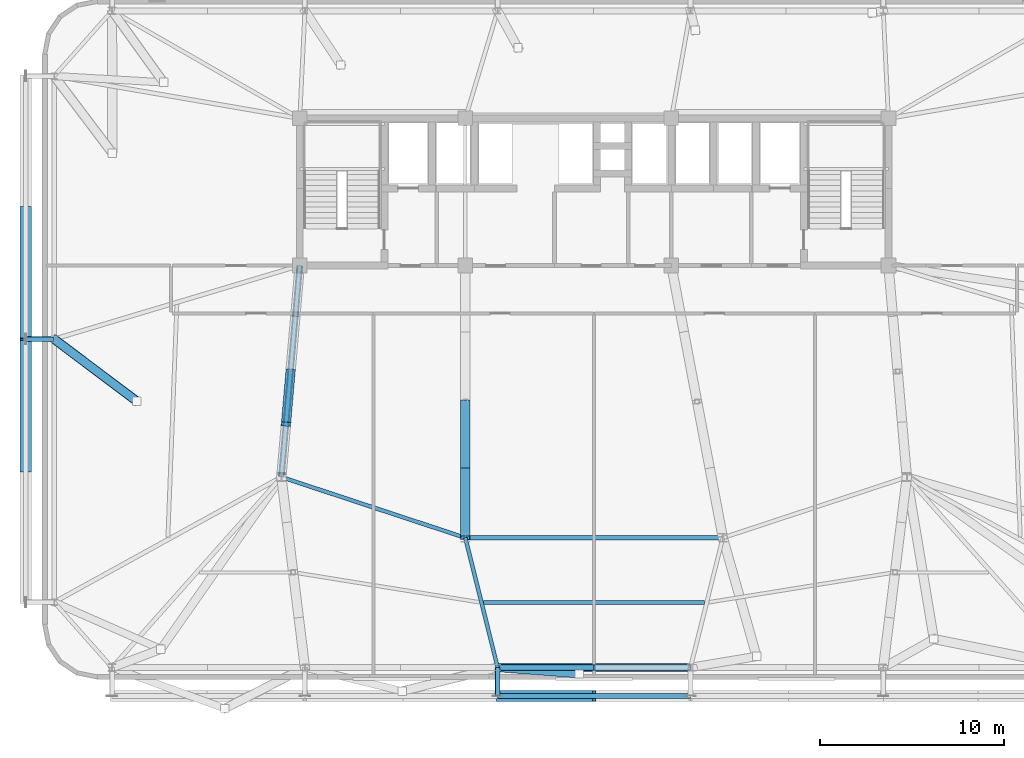
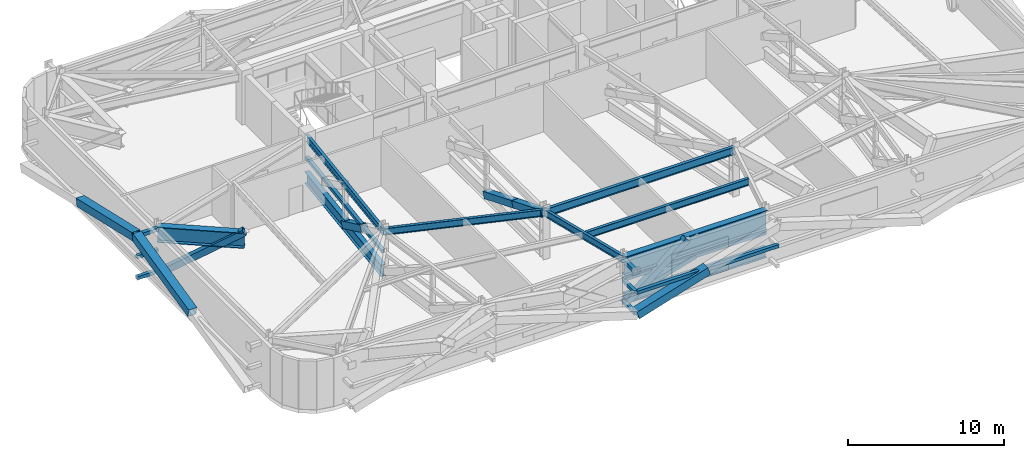
# One storey, part 6 of 24: 20 members, 7 beams.
"""IFC4 building model written with IfcOpenShell, lengths in metres."""

from ifc_helpers import new_model, si_unit, direction, frame, origin, origin_2d, place, context, subcontext, project, spatial, hollow_rectangle, i_section, extrude, source, transform, mapped, material, material_profile, profile_set, type_object, element, save


model = new_model("IFC4")

# Units and contexts
model_context = context("Model", 3, precision=1e-05, world=origin(), true_north=direction((0.0, 1.0)))
body_context = subcontext(model_context, "Body", "Model", "MODEL_VIEW")
ifc_project = project(units=[si_unit("LENGTHUNIT", "METRE"), si_unit("AREAUNIT", "SQUARE_METRE"), si_unit("VOLUMEUNIT", "CUBIC_METRE"), si_unit("PLANEANGLEUNIT", "RADIAN"), si_unit("MASSUNIT", "GRAM", prefix="KILO")], contexts=[model_context])

# Site, building, storey
site_placement = place(None, origin())
site = spatial("IfcSite", under=ifc_project, at=site_placement, CompositionType="ELEMENT")
building_placement = place(site_placement, origin())
building = spatial("IfcBuilding", under=site, at=building_placement, Name="Taldren Reach Tower", CompositionType="ELEMENT")
storey_placement = place(building_placement, frame((0.0, 0.0, 60.89990234375)))
storey = spatial("IfcBuildingStorey", under=building, at=storey_placement, Name="L18", CompositionType="ELEMENT", Elevation=60.89990234375)

# Beams
ifc_material_1 = material(Name="Steel Gr 350 (350PLUS)", Category="steel")
ifc_material_profile_1 = material_profile(ifc_material_1, i_section(OverallWidth=0.208984375, OverallDepth=0.532958984375, WebThickness=0.01025390625, FlangeThickness=0.015625, at=origin_2d()), Name="530UB92.4")
ifc_profile_set_1 = profile_set([ifc_material_profile_1], Name="Steel Gr 350 (350PLUS)")
beam_type_1 = type_object("IfcBeamType", Name="BM-UB530A", PredefinedType="BEAM", material=ifc_profile_set_1)
shared_shape_1 = source(origin(), body_context, "Body", "SweptSolid", [
    extrude(i_section(OverallWidth=0.208984375, OverallDepth=0.532958984375, WebThickness=0.01025390625, FlangeThickness=0.015625, at=origin_2d()), origin(), (0.0, 0.0, 1.0), 11.54345703125),
])
beam_1_placement = place(storey_placement, frame((19.0, 24.0, 3.513671875), z_axis=(-0.086629616365, -0.996240588196, 0.0), x_axis=(0.996240588196, -0.086629616365, 0.0)))
element("IfcBeam", 1, at=beam_1_placement, inside=storey, type_object=beam_type_1, Name="Core-spine girder L18-SP09", PredefinedType="BEAM", context=body_context, shape_type="MappedRepresentation", body=[
    mapped(shared_shape_1, transform((0.0, 0.0, 0.0), scale=1.0)),
])
shared_shape_2 = source(origin(), body_context, "Body", "SweptSolid", [
    extrude(i_section(OverallWidth=0.208984375, OverallDepth=0.532958984375, WebThickness=0.01025390625, FlangeThickness=0.015625, at=origin_2d()), origin(), (0.0, 0.0, 1.0), 10.530517578125),
])
beam_2_placement = place(storey_placement, frame((18.0, 12.5, 3.513671875), z_axis=(0.949627269203, -0.313381635689, 0.0), x_axis=(0.313381635689, 0.949627269203, 0.0)))
element("IfcBeam", 2, at=beam_2_placement, inside=storey, type_object=beam_type_1, Name="Core-spine girder L18-SP10", PredefinedType="BEAM", context=body_context, shape_type="MappedRepresentation", body=[
    mapped(shared_shape_2, transform((0.0, 0.0, 0.0), scale=1.0)),
])
ifc_material_profile_2 = material_profile(ifc_material_1, i_section(OverallWidth=0.22802734375, OverallDepth=0.60205078125, WebThickness=0.010498046875, FlangeThickness=0.014892578125, at=origin_2d()), Name="610UB101")
ifc_profile_set_2 = profile_set([ifc_material_profile_2], Name="Steel Gr 350 (350PLUS)")
beam_type_2 = type_object("IfcBeamType", Name="BM-UB610B", PredefinedType="BEAM", material=ifc_profile_set_2)
shared_shape_3 = source(origin(), body_context, "Body", "SweptSolid", [
    extrude(i_section(OverallWidth=0.22802734375, OverallDepth=0.60205078125, WebThickness=0.010498046875, FlangeThickness=0.014892578125, at=origin_2d()), origin(), (0.0, 0.0, 1.0), 14.0),
])
beam_3_placement = place(storey_placement, frame((28.0, 9.199951171875, 3.47900390625), z_axis=(1.0, 0.0, 0.0), x_axis=(0.0, 1.0, 0.0)))
element("IfcBeam", 3, at=beam_3_placement, inside=storey, type_object=beam_type_2, Name="Core-spine girder L18-SP11", PredefinedType="BEAM", context=body_context, shape_type="MappedRepresentation", body=[
    mapped(shared_shape_3, transform((0.0, 0.0, 0.0), scale=1.0)),
])
shared_shape_4 = source(origin(), body_context, "Body", "SweptSolid", [
    extrude(i_section(OverallWidth=0.208984375, OverallDepth=0.532958984375, WebThickness=0.01025390625, FlangeThickness=0.015625, at=origin_2d()), origin(), (0.0, 0.0, 1.0), 7.266357421875),
])
beam_4_placement = place(storey_placement, frame((28.0, 9.199951171875, 3.513671875), z_axis=(0.24221148493, -0.970223477642, 0.0), x_axis=(0.970223477642, 0.24221148493, 0.0)))
element("IfcBeam", 4, at=beam_4_placement, inside=storey, type_object=beam_type_1, Name="Primary floor girder B1-S3 L18", PredefinedType="BEAM", context=body_context, shape_type="MappedRepresentation", body=[
    mapped(shared_shape_4, transform((0.0, 0.0, 0.0), scale=1.0)),
])
shared_shape_5 = source(origin(), body_context, "Body", "SweptSolid", [
    extrude(i_section(OverallWidth=0.208984375, OverallDepth=0.532958984375, WebThickness=0.01025390625, FlangeThickness=0.015625, at=origin_2d()), origin(), (0.0, 0.0, 1.0), 12.0244140625),
])
beam_5_placement = place(storey_placement, frame((28.98779296875, 5.675048828125, 3.513671875), z_axis=(1.0, 0.0, 0.0), x_axis=(0.0, 1.0, 0.0)))
element("IfcBeam", 5, at=beam_5_placement, inside=storey, type_object=beam_type_1, Name="Secondary floor beam B1 J3 L18", PredefinedType="BEAM", context=body_context, shape_type="MappedRepresentation", body=[
    mapped(shared_shape_5, transform((0.0, 0.0, 0.0), scale=1.0)),
])

# Members
ifc_material_2 = material(Name="Steel Gr 450 (C450L0)", Category="steel")
ifc_material_profile_3 = material_profile(ifc_material_2, hollow_rectangle(XDim=0.27490234375, YDim=0.27490234375, WallThickness=0.00927734375, at=origin_2d()), Name="275x275x9.3SHS")
ifc_profile_set_3 = profile_set([ifc_material_profile_3], Name="Steel Gr 450 (C450L0)")
member_type_1 = type_object("IfcMemberType", Name="MB-TIE273", PredefinedType="STRUT", material=ifc_profile_set_3)
shared_shape_6 = source(origin(), body_context, "Body", "SweptSolid", [
    extrude(hollow_rectangle(XDim=0.27490234375, YDim=0.27490234375, WallThickness=0.00927734375, at=origin_2d()), origin(), (0.0, 0.0, 1.0), 1.5498046875),
])
for number, where, z_axis, x_axis, name in (
    (6, (29.760009765625, 2.14990234375, 3.5), (0.0, -1.0, 0.0), (1.0, 0.0, 0.0), "Exoskeleton diaphragm tie strut B1-S3 L18"),
    (7, (5.64990234375, 20.0, 3.5), (-1.0, 0.0, 0.0), (0.0, -1.0, 0.0), "Exoskeleton diaphragm tie strut B1-W2 L18"),
):
    element("IfcMember", number, at=place(storey_placement, frame(where, z_axis=z_axis, x_axis=x_axis)), inside=storey, type_object=member_type_1, Name=name, PredefinedType="STRUT", context=body_context, shape_type="MappedRepresentation", body=[
        mapped(shared_shape_6, transform((0.0, 0.0, 0.0), scale=1.0)),
    ])
ifc_material_3 = material(Name="Steel Gr 350 (C350L0)", Category="steel")
ifc_material_profile_4 = material_profile(ifc_material_3, hollow_rectangle(XDim=0.25, YDim=0.25, WallThickness=0.010009765625, at=origin_2d()), Name="250x250x10.0SHS")
ifc_profile_set_4 = profile_set([ifc_material_profile_4], Name="Steel Gr 350 (C350L0)")
member_type_2 = type_object("IfcMemberType", Name="MB-POST250", PredefinedType="POST", material=ifc_profile_set_4)
shared_shape_7 = source(origin(), body_context, "Body", "SweptSolid", [
    extrude(hollow_rectangle(XDim=0.25, YDim=0.25, WallThickness=0.010009765625, at=origin_2d()), origin(), (0.0, 0.0, 1.0), 10.47998046875),
])
for number, where, z_axis, x_axis, name in (
    (8, (29.760009765625, 2.14990234375, 1.955078125), (1.0, 0.0, 0.0), (0.0, 1.0, 0.0), "Belt Truss Transfer Mid Chord S3 L18"),
    (9, (29.760009765625, 0.60009765625, 1.860107421875), (1.0, 0.0, 0.0), (0.0, 1.0, 0.0), "Exoskeleton mid-height ring chord B1-S3 L18"),
):
    element("IfcMember", number, at=place(storey_placement, frame(where, z_axis=z_axis, x_axis=x_axis)), inside=storey, type_object=member_type_2, Name=name, PredefinedType="POST", context=body_context, shape_type="MappedRepresentation", body=[
        mapped(shared_shape_7, transform((0.0, 0.0, 0.0), scale=1.0)),
    ])
shared_shape_8 = source(origin(), body_context, "Body", "SweptSolid", [
    extrude(hollow_rectangle(XDim=0.25, YDim=0.25, WallThickness=0.010009765625, at=origin_2d()), origin(), (0.0, 0.0, 1.0), 1.5498046875),
])
for number, where, z_axis, x_axis, name in (
    (10, (29.760009765625, 2.14990234375, 0.22021484375), (0.0, -1.0, 0.0), (1.0, 0.0, 0.0), "Exoskeleton base diaphragm tie strut B1-S3 L18"),
    (11, (5.64990234375, 20.0, 0.22021484375), (-1.0, 0.0, 0.0), (0.0, -1.0, 0.0), "Exoskeleton base diaphragm tie strut B1-W2 L18"),
    (12, (29.760009765625, 2.14990234375, 1.860107421875), (0.0, -1.0, 0.0), (1.0, 0.0, 0.0), "Exoskeleton mid-tier diaphragm tie B1-S3 L18"),
    (13, (5.64990234375, 20.0, 1.860107421875), (-1.0, 0.0, 0.0), (0.0, -1.0, 0.0), "Exoskeleton mid-tier diaphragm tie B1-W2 L18"),
):
    element("IfcMember", number, at=place(storey_placement, frame(where, z_axis=z_axis, x_axis=x_axis)), inside=storey, type_object=member_type_2, Name=name, PredefinedType="POST", context=body_context, shape_type="MappedRepresentation", body=[
        mapped(shared_shape_8, transform((0.0, 0.0, 0.0), scale=1.0)),
    ])

# Beam
ifc_material_profile_5 = material_profile(ifc_material_1, i_section(OverallWidth=0.449951171875, OverallDepth=1.5, WebThickness=0.02001953125, FlangeThickness=0.0439453125, at=origin_2d()), Name="1500WB550")
ifc_profile_set_5 = profile_set([ifc_material_profile_5], Name="Steel Gr 350 (350PLUS)")
beam_type_3 = type_object("IfcBeamType", Name="BM-PG1500", PredefinedType="BEAM", material=ifc_profile_set_5)
shared_shape_9 = source(origin(), body_context, "Body", "SweptSolid", [
    extrude(i_section(OverallWidth=0.449951171875, OverallDepth=1.5, WebThickness=0.02001953125, FlangeThickness=0.0439453125, at=origin_2d()), origin(), (0.0, 0.0, 1.0), 10.47998046875),
])
beam_6_placement = place(storey_placement, frame((29.760009765625, 2.14990234375, 3.030029296875), z_axis=(1.0, 0.0, 0.0), x_axis=(0.0, 1.0, 0.0)))
element("IfcBeam", 14, at=beam_6_placement, inside=storey, type_object=beam_type_3, Name="Belt Truss Transfer Girder TG-B2-S3A on L18", PredefinedType="SPANDREL", context=body_context, shape_type="MappedRepresentation", body=[
    mapped(shared_shape_9, transform((0.0, 0.0, 0.0), scale=1.0)),
])

# Members
ifc_material_profile_6 = material_profile(ifc_material_2, hollow_rectangle(XDim=0.4599609375, YDim=0.4599609375, WallThickness=0.01611328125, at=origin_2d()), Name="460x460x16.0SHS")
ifc_profile_set_6 = profile_set([ifc_material_profile_6], Name="Steel Gr 450 (C450L0)")
member_type_3 = type_object("IfcMemberType", Name="MB-EXO457", PredefinedType="BRACE", material=ifc_profile_set_6)
shared_shape_10 = source(origin(), body_context, "Body", "SweptSolid", [
    extrude(hollow_rectangle(XDim=0.4599609375, YDim=0.4599609375, WallThickness=0.01611328125, at=origin_2d()), origin(), (0.0, 0.0, 1.0), 5.829345703125),
])
member_1_placement = place(storey_placement, frame((29.760009765625, 2.14990234375, 0.02001953125), z_axis=(0.76193932872, -0.058423864319, 0.645007838268), x_axis=(0.0764534189, 0.997073154156, 0.0)))
element("IfcMember", 15, at=member_1_placement, inside=storey, type_object=member_type_3, Name="Outrigger Belt Truss Transfer Strut TS-B2-S3 L18", PredefinedType="BRACE", context=body_context, shape_type="MappedRepresentation", body=[
    mapped(shared_shape_10, transform((0.0, 0.0, 0.0), scale=1.0)),
])
shared_shape_11 = source(origin(), body_context, "Body", "SweptSolid", [
    extrude(hollow_rectangle(XDim=0.4599609375, YDim=0.4599609375, WallThickness=0.01611328125, at=origin_2d()), origin(), (0.0, 0.0, 1.0), 6.75),
])
member_2_placement = place(storey_placement, frame((5.64990234375, 20.0, 0.02001953125), z_axis=(0.663798937047, -0.49908797103, 0.557029773305), x_axis=(0.600954201134, 0.799283459193, 0.0)))
element("IfcMember", 16, at=member_2_placement, inside=storey, type_object=member_type_3, Name="Outrigger Belt Truss Transfer Strut TS-B2-W2 L18", PredefinedType="BRACE", context=body_context, shape_type="MappedRepresentation", body=[
    mapped(shared_shape_11, transform((0.0, 0.0, 0.0), scale=1.0)),
])

# Beam
ifc_material_profile_7 = material_profile(ifc_material_1, i_section(OverallWidth=0.5, OverallDepth=1.199951171875, WebThickness=0.01611328125, FlangeThickness=0.0400390625, at=origin_2d()), Name="1200WB455")
ifc_profile_set_7 = profile_set([ifc_material_profile_7], Name="Steel Gr 350 (350PLUS)")
beam_type_4 = type_object("IfcBeamType", Name="BM-WB1200", PredefinedType="BEAM", material=ifc_profile_set_7)
shared_shape_12 = source(origin(), body_context, "Body", "SweptSolid", [
    extrude(i_section(OverallWidth=0.5, OverallDepth=1.199951171875, WebThickness=0.01611328125, FlangeThickness=0.0400390625, at=origin_2d()), origin(), (0.0, 0.0, 1.0), 5.60595703125),
])
beam_7_placement = place(storey_placement, frame((5.64990234375, 20.0, 3.18017578125), z_axis=(0.799283459193, -0.600954201134, 0.0), x_axis=(0.600954201134, 0.799283459193, 0.0)))
element("IfcBeam", 17, at=beam_7_placement, inside=storey, type_object=beam_type_4, Name="Belt Truss Transfer Girder TG-B2-W2A on L18", PredefinedType="BEAM", context=body_context, shape_type="MappedRepresentation", body=[
    mapped(shared_shape_12, transform((0.0, 0.0, 0.0), scale=1.0)),
])

# Members
ifc_material_profile_8 = material_profile(ifc_material_1, i_section(OverallWidth=0.35009765625, OverallDepth=0.916015625, WebThickness=0.013916015625, FlangeThickness=0.028076171875, at=origin_2d()), Name="900WB257")
ifc_profile_set_8 = profile_set([ifc_material_profile_8], Name="Steel Gr 350 (350PLUS)")
member_type_4 = type_object("IfcMemberType", Name="MB-CH900", PredefinedType="CHORD", material=ifc_profile_set_8)
shared_shape_13 = source(origin(), body_context, "Body", "SweptSolid", [
    extrude(i_section(OverallWidth=0.35009765625, OverallDepth=0.916015625, WebThickness=0.013916015625, FlangeThickness=0.028076171875, at=origin_2d()), origin(), (0.0, 0.0, 1.0), 11.54345703125),
])
member_3_placement = place(storey_placement, frame((19.0, 24.0, 0.4501953125), z_axis=(-0.086629616365, -0.996240588196, 0.0), x_axis=(0.996240588196, -0.086629616365, 0.0)))
element("IfcMember", 18, at=member_3_placement, inside=storey, type_object=member_type_4, Name="Outrigger Transfer Truss Bottom Chord OT-W1 L18", PredefinedType="CHORD", context=body_context, shape_type="MappedRepresentation", body=[
    mapped(shared_shape_13, transform((0.0, 0.0, 0.0), scale=1.0)),
])
shared_shape_14 = source(origin(), body_context, "Body", "SweptSolid", [
    extrude(hollow_rectangle(XDim=0.25, YDim=0.25, WallThickness=0.010009765625, at=origin_2d()), origin(), (0.0, 0.0, 1.0), 11.54345703125),
])
member_4_placement = place(storey_placement, frame((19.0, 24.0, 1.955078125), z_axis=(-0.086629616365, -0.996240588196, 0.0), x_axis=(0.996240588196, -0.086629616365, 0.0)))
element("IfcMember", 19, at=member_4_placement, inside=storey, type_object=member_type_2, Name="Outrigger Transfer Truss Mid Chord OT-W1 L18", PredefinedType="POST", context=body_context, shape_type="MappedRepresentation", body=[
    mapped(shared_shape_14, transform((0.0, 0.0, 0.0), scale=1.0)),
])
ifc_material_profile_9 = material_profile(ifc_material_2, hollow_rectangle(XDim=0.510009765625, YDim=0.510009765625, WallThickness=0.02001953125, at=origin_2d()), Name="510x510x20.0SHS")
ifc_profile_set_9 = profile_set([ifc_material_profile_9], Name="Steel Gr 450 (C450L0)")
member_type_5 = type_object("IfcMemberType", Name="MB-EXO508", PredefinedType="BRACE", material=ifc_profile_set_9)
shared_shape_15 = source(origin(), body_context, "Body", "SweptSolid", [
    extrude(hollow_rectangle(XDim=0.510009765625, YDim=0.510009765625, WallThickness=0.02001953125, at=origin_2d()), origin(), (0.0, 0.0, 1.0), 3.254638671875),
])
member_5_placement = place(storey_placement, frame((18.5, 18.25, 0.4501953125), z_axis=(-0.076812991328, -0.883349400268, 0.462378201703), x_axis=(0.996240588196, -0.086629616365, 0.0)))
element("IfcMember", 20, at=member_5_placement, inside=storey, type_object=member_type_5, Name="Outrigger Transfer Truss Diagonal OT-W1B L18", PredefinedType="BRACE", context=body_context, shape_type="MappedRepresentation", body=[
    mapped(shared_shape_15, transform((0.0, 0.0, 0.0), scale=1.0)),
])
shared_shape_16 = source(origin(), body_context, "Body", "SweptSolid", [
    extrude(hollow_rectangle(XDim=0.510009765625, YDim=0.510009765625, WallThickness=0.02001953125, at=origin_2d()), origin(), (0.0, 0.0, 1.0), 3.994384765625),
])
member_6_placement = place(storey_placement, frame((28.0, 12.89990234375, 1.955078125), z_axis=(0.0, -0.926289977248, 0.376811462206), x_axis=(1.0, 0.0, 0.0)))
element("IfcMember", 21, at=member_6_placement, inside=storey, type_object=member_type_5, Name="Outrigger Transfer Truss Diagonal OT-M1B L18", PredefinedType="BRACE", context=body_context, shape_type="MappedRepresentation", body=[
    mapped(shared_shape_16, transform((0.0, 0.0, 0.0), scale=1.0)),
])
shared_shape_17 = source(origin(), body_context, "Body", "SweptSolid", [
    extrude(hollow_rectangle(XDim=0.510009765625, YDim=0.510009765625, WallThickness=0.02001953125, at=origin_2d()), origin(), (0.0, 0.0, 1.0), 3.99462890625),
])
member_7_placement = place(storey_placement, frame((28.0, 16.60009765625, 0.4501953125), z_axis=(0.0, -0.926319985193, 0.376737687301), x_axis=(1.0, 0.0, 0.0)))
element("IfcMember", 22, at=member_7_placement, inside=storey, type_object=member_type_5, Name="Outrigger Transfer Truss Diagonal OT-M1B L18", PredefinedType="BRACE", context=body_context, shape_type="MappedRepresentation", body=[
    mapped(shared_shape_17, transform((0.0, 0.0, 0.0), scale=1.0)),
])
ifc_material_profile_10 = material_profile(ifc_material_1, i_section(OverallWidth=0.300048828125, OverallDepth=0.81591796875, WebThickness=0.011962890625, FlangeThickness=0.02392578125, at=origin_2d()), Name="800WB192")
ifc_profile_set_10 = profile_set([ifc_material_profile_10], Name="Steel Gr 350 (350PLUS)")
member_type_6 = type_object("IfcMemberType", Name="MB-CH800", PredefinedType="CHORD", material=ifc_profile_set_10)
shared_shape_18 = source(origin(), body_context, "Body", "SweptSolid", [
    extrude(i_section(OverallWidth=0.300048828125, OverallDepth=0.81591796875, WebThickness=0.011962890625, FlangeThickness=0.02392578125, at=origin_2d()), origin(), (0.0, 0.0, 1.0), 10.47998046875),
])
member_8_placement = place(storey_placement, frame((29.760009765625, 2.14990234375, 0.4501953125), z_axis=(1.0, 0.0, 0.0), x_axis=(0.0, 1.0, 0.0)))
element("IfcMember", 23, at=member_8_placement, inside=storey, type_object=member_type_6, Name="Belt Truss Transfer Bottom Chord S3 L18", PredefinedType="CHORD", context=body_context, shape_type="MappedRepresentation", body=[
    mapped(shared_shape_18, transform((0.0, 0.0, 0.0), scale=1.0)),
])
ifc_material_profile_11 = material_profile(ifc_material_2, hollow_rectangle(XDim=0.324951171875, YDim=0.324951171875, WallThickness=0.0126953125, at=origin_2d()), Name="325x325x12.7SHS")
ifc_profile_set_11 = profile_set([ifc_material_profile_11], Name="Steel Gr 450 (C450L0)")
member_type_7 = type_object("IfcMemberType", Name="MB-BR324", PredefinedType="BRACE", material=ifc_profile_set_11)
shared_shape_19 = source(origin(), body_context, "Body", "SweptSolid", [
    extrude(hollow_rectangle(XDim=0.324951171875, YDim=0.324951171875, WallThickness=0.0126953125, at=origin_2d()), origin(), (0.0, 0.0, 1.0), 5.451904296875),
])
member_9_placement = place(storey_placement, frame((29.760009765625, 2.14990234375, 0.4501953125), z_axis=(0.96114789944, 0.0, 0.27603390263), x_axis=(0.0, 1.0, 0.0)))
element("IfcMember", 24, at=member_9_placement, inside=storey, type_object=member_type_7, Name="Belt Truss Transfer Diagonal S3 L18", PredefinedType="BRACE", context=body_context, shape_type="MappedRepresentation", body=[
    mapped(shared_shape_19, transform((0.0, 0.0, 0.0), scale=1.0)),
])
ifc_material_profile_12 = material_profile(ifc_material_2, hollow_rectangle(XDim=0.614990234375, YDim=0.614990234375, WallThickness=0.02490234375, at=origin_2d()), Name="615x615x25.0SHS")
ifc_profile_set_12 = profile_set([ifc_material_profile_12], Name="Steel Gr 450 (C450L0)")
member_type_8 = type_object("IfcMemberType", Name="MB-EXO610", PredefinedType="BRACE", material=ifc_profile_set_12)
shared_shape_20 = source(origin(), body_context, "Body", "SweptSolid", [
    extrude(hollow_rectangle(XDim=0.614990234375, YDim=0.614990234375, WallThickness=0.02490234375, at=origin_2d()), origin(), (0.0, 0.0, 1.0), 5.49072265625),
])
member_10_placement = place(storey_placement, frame((29.760009765625, 0.60009765625, 0.22021484375), z_axis=(0.954355677655, 0.0, 0.298672463626), x_axis=(0.0, 1.0, 0.0)))
element("IfcMember", 25, at=member_10_placement, inside=storey, type_object=member_type_8, Name="Exoskeleton Diagrid Brace B1-S3 L18", PredefinedType="BRACE", context=body_context, shape_type="MappedRepresentation", body=[
    mapped(shared_shape_20, transform((0.0, 0.0, 0.0), scale=1.0)),
])
shared_shape_21 = source(origin(), body_context, "Body", "SweptSolid", [
    extrude(hollow_rectangle(XDim=0.614990234375, YDim=0.614990234375, WallThickness=0.02490234375, at=origin_2d()), origin(), (0.0, 0.0, 1.0), 7.33544921875),
])
for number, where, z_axis, x_axis, name in (
    (26, (4.10009765625, 12.85009765625, 1.860107421875), (0.0, 0.974691540641, 0.223554021665), (-1.0, 0.0, 0.0), "Exoskeleton Diagrid Brace B1-W1 L18"),
    (27, (4.10009765625, 27.14990234375, 1.860107421875), (0.0, -0.974691540641, 0.223554021665), (1.0, 0.0, 0.0), "Exoskeleton Diagrid Brace B1-W2 L18"),
):
    element("IfcMember", number, at=place(storey_placement, frame(where, z_axis=z_axis, x_axis=x_axis)), inside=storey, type_object=member_type_8, Name=name, PredefinedType="BRACE", context=body_context, shape_type="MappedRepresentation", body=[
        mapped(shared_shape_21, transform((0.0, 0.0, 0.0), scale=1.0)),
    ])

save(model, "model.ifc")
